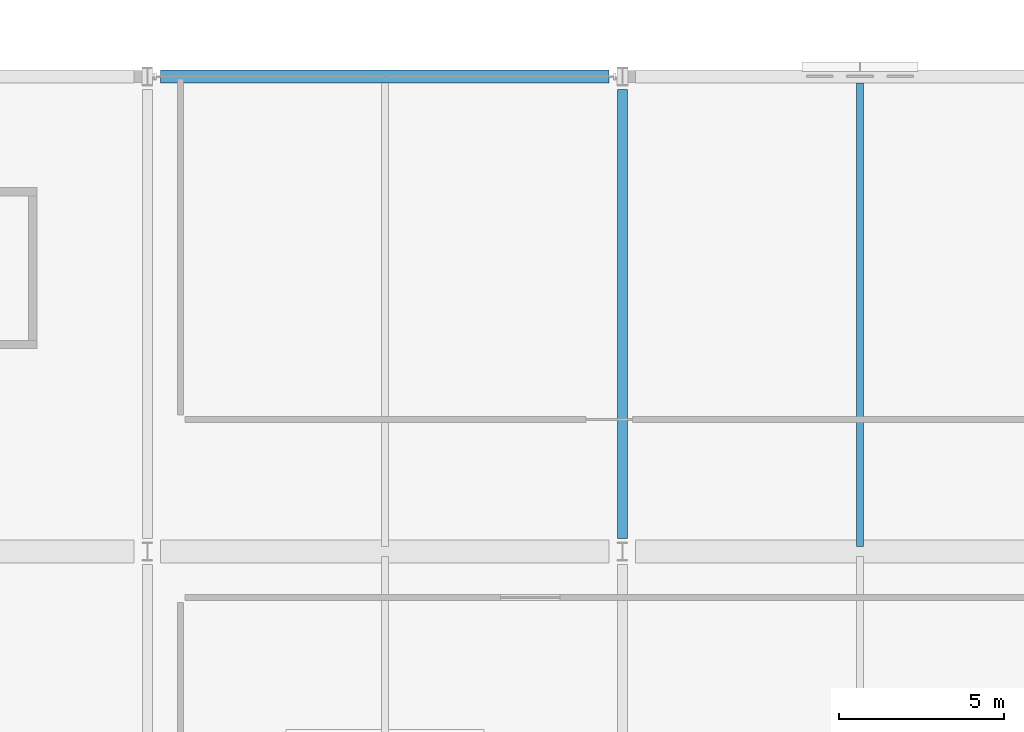
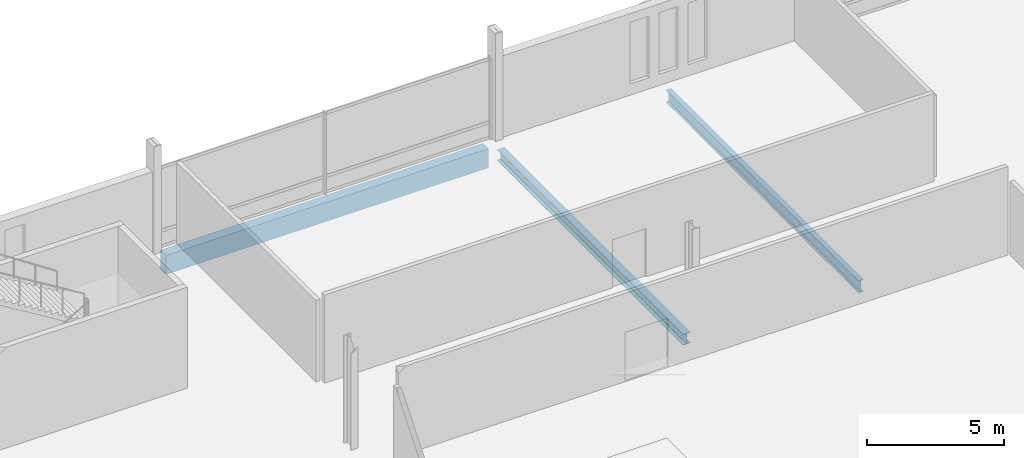
# One storey, part 124 of 220: 3 beams.
"""IFC4 building model written with IfcOpenShell, lengths in metres."""

from ifc_helpers import new_model, si_unit, direction, frame, origin, origin_2d, place, context, subcontext, project, spatial, rectangle, i_section, extrude, material, material_profile, profile_set, type_object, element, save


model = new_model("IFC4")

# Units and contexts
model_context = context("Model", 3, precision=1e-05, world=origin(), true_north=direction((0.0, 1.0)))
body_context = subcontext(model_context, "Body", "Model", "MODEL_VIEW")
ifc_project = project(units=[si_unit("LENGTHUNIT", "METRE"), si_unit("AREAUNIT", "SQUARE_METRE"), si_unit("VOLUMEUNIT", "CUBIC_METRE"), si_unit("PLANEANGLEUNIT", "RADIAN"), si_unit("MASSUNIT", "GRAM", prefix="KILO")], contexts=[model_context])

# Site, building, storey
site_placement = place(None, origin())
site = spatial("IfcSite", under=ifc_project, at=site_placement, CompositionType="ELEMENT")
building_placement = place(site_placement, origin())
building = spatial("IfcBuilding", under=site, at=building_placement, Name="Cendralis Lancet Convention Centre", CompositionType="ELEMENT")
storey_placement = place(building_placement, frame((0.0, 0.0, 5.39990234375)))
storey = spatial("IfcBuildingStorey", under=building, at=storey_placement, Name="L01", CompositionType="ELEMENT", Elevation=5.39990234375)

# Beams
ifc_material_1 = material(Name="Steel S355", Category="steel")
ifc_material_profile_1 = material_profile(ifc_material_1, i_section(OverallWidth=0.300048828125, OverallDepth=0.489990234375, WebThickness=0.011962890625, FlangeThickness=0.02294921875, FilletRadius=0.027099609375, at=origin_2d()), Name="HEA 500")
ifc_profile_set_1 = profile_set([ifc_material_profile_1], Name="Steel S355")
beam_type_1 = type_object("IfcBeamType", Name="STR-BM-SG12", PredefinedType="BEAM", material=ifc_profile_set_1)
beam_1_placement = place(storey_placement, frame((168.0, 122.800048828125, -0.52490234375), z_axis=(0.0, 1.0, 0.0), x_axis=(-1.0, 0.0, 0.0)))
element("IfcBeam", 1, at=beam_1_placement, inside=storey, type_object=beam_type_1, Name="L01 Beam SG12 #1674", PredefinedType="BEAM", context=body_context, shape_type="SweptSolid", body=[
    extrude(i_section(OverallWidth=0.300048828125, OverallDepth=0.489990234375, WebThickness=0.011962890625, FlangeThickness=0.02294921875, FilletRadius=0.027099609375, at=origin_2d()), origin(), (0.0, 0.0, 1.0), 13.599853515625),
])
ifc_material_profile_2 = material_profile(ifc_material_1, i_section(OverallWidth=0.2099609375, OverallDepth=0.550048828125, WebThickness=0.010986328125, FlangeThickness=0.01708984375, FilletRadius=0.02392578125, at=origin_2d()), Name="IPE 550")
ifc_profile_set_2 = profile_set([ifc_material_profile_2], Name="Steel S355")
beam_type_2 = type_object("IfcBeamType", Name="STR-JS-BJ05", PredefinedType="JOIST", material=ifc_profile_set_2)
beam_2_placement = place(storey_placement, frame((175.199951171875, 122.550048828125, -0.554931640625), z_axis=(0.0, 1.0, 0.0), x_axis=(-1.0, 0.0, 0.0)))
element("IfcBeam", 2, at=beam_2_placement, inside=storey, type_object=beam_type_2, Name="L01 Beam BJ05 #1691", PredefinedType="JOIST", context=body_context, shape_type="SweptSolid", body=[
    extrude(i_section(OverallWidth=0.2099609375, OverallDepth=0.550048828125, WebThickness=0.010986328125, FlangeThickness=0.01708984375, FilletRadius=0.02392578125, at=origin_2d()), origin(), (0.0, 0.0, 1.0), 14.050048828125),
])
ifc_material_2 = material(Name="Concrete G40 (C40/50)", Category="concrete")
ifc_material_profile_3 = material_profile(ifc_material_2, rectangle(XDim=0.39990234375, YDim=0.85009765625, at=origin_2d()), Name="RCB 400x850")
ifc_profile_set_3 = profile_set([ifc_material_profile_3], Name="Concrete G40 (C40/50)")
beam_type_3 = type_object("IfcBeamType", Name="STR-SP-SP02", PredefinedType="SPANDREL", material=ifc_profile_set_3)
beam_3_placement = place(storey_placement, frame((154.0, 136.800048828125, -0.704833984375), z_axis=(1.0, 0.0, 0.0), x_axis=(0.0, 1.0, 0.0)))
element("IfcBeam", 3, at=beam_3_placement, inside=storey, type_object=beam_type_3, Name="L01 Beam SP02 #1659", PredefinedType="SPANDREL", context=body_context, shape_type="SweptSolid", body=[
    extrude(rectangle(XDim=0.39990234375, YDim=0.85009765625, at=origin_2d()), origin(), (0.0, 0.0, 1.0), 13.60009765625),
])

save(model, "model.ifc")
